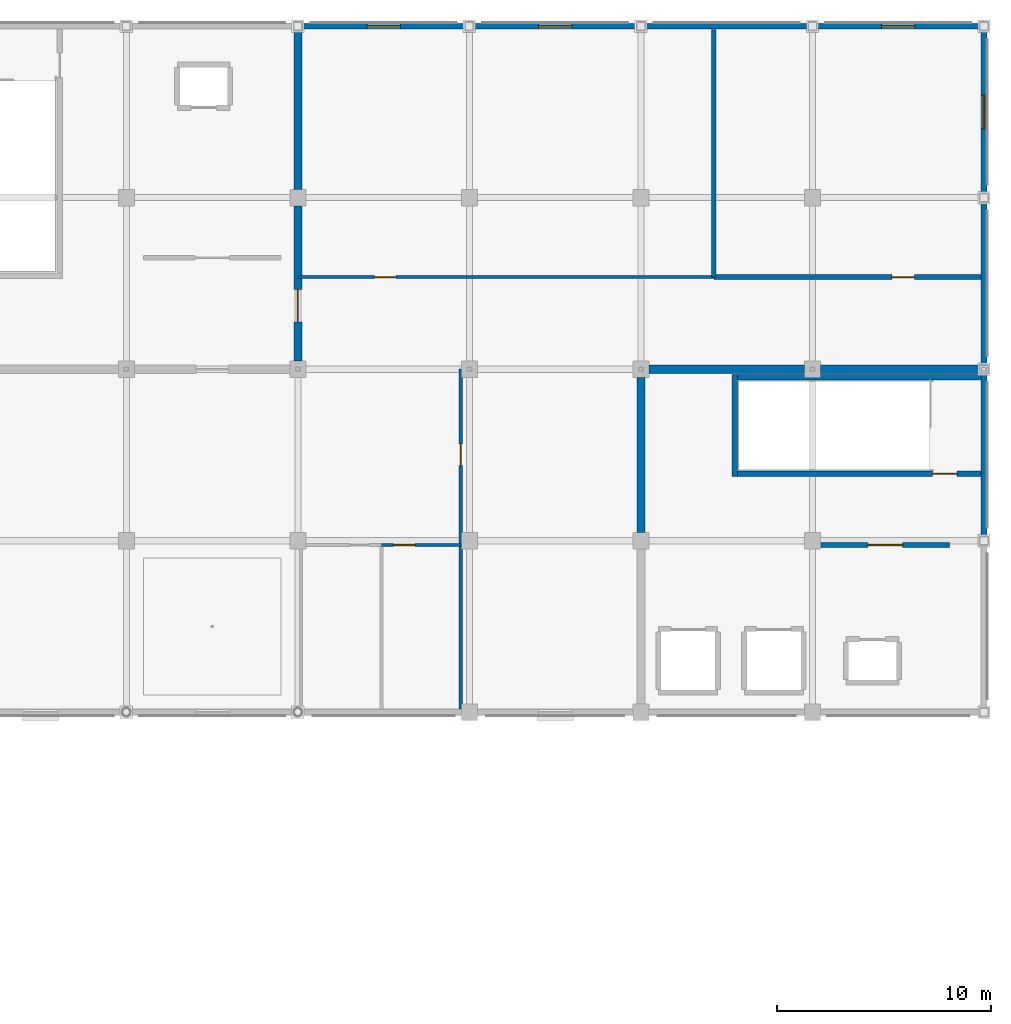
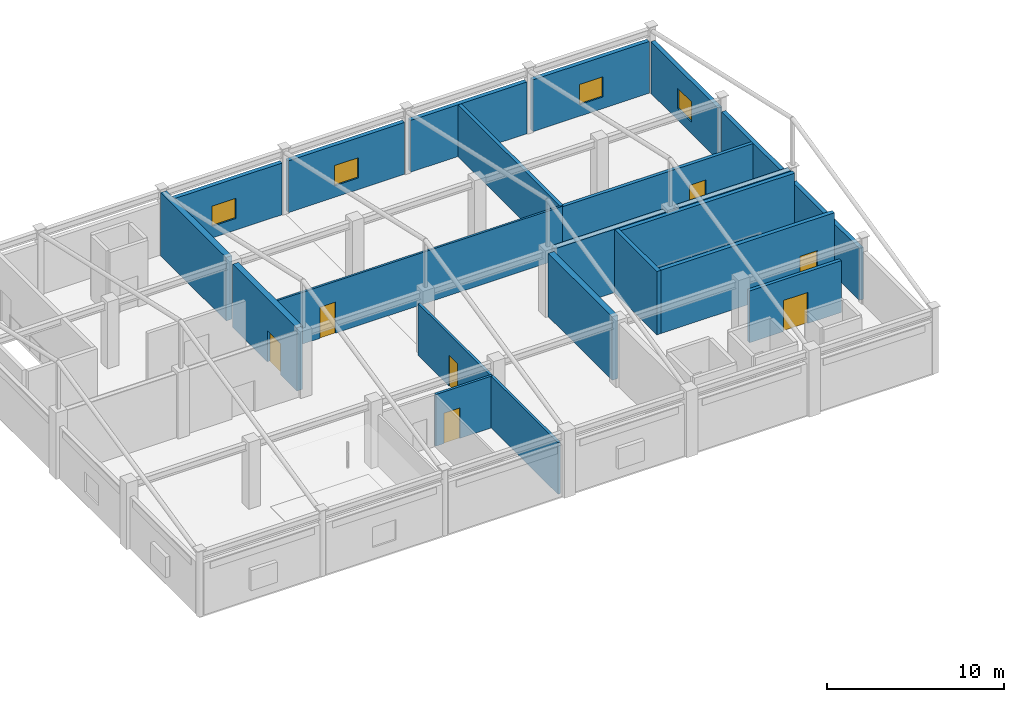
# One storey, part 13 of 16: 21 walls, 7 doors, 4 windows, 11 openings.
"""IFC4 building model written with IfcOpenShell, lengths in metres."""

from ifc_helpers import new_model, si_unit, direction, frame, frame_2d, origin, place, context, subcontext, project, spatial, rectangle, extrude, material, layer, layer_set, type_object, element, fill, save


model = new_model("IFC4")

# Units and contexts
model_context = context("Model", 3, precision=1e-05, world=origin(), true_north=direction((0.0, 1.0)))
body_context = subcontext(model_context, "Body", "Model", "MODEL_VIEW")
ifc_project = project(units=[si_unit("LENGTHUNIT", "METRE"), si_unit("AREAUNIT", "SQUARE_METRE"), si_unit("VOLUMEUNIT", "CUBIC_METRE"), si_unit("PLANEANGLEUNIT", "RADIAN"), si_unit("MASSUNIT", "GRAM", prefix="KILO")], contexts=[model_context])

# Site, building, storey
site_placement = place(None, origin())
site = spatial("IfcSite", under=ifc_project, at=site_placement, CompositionType="ELEMENT")
building_placement = place(site_placement, origin())
building = spatial("IfcBuilding", under=site, at=building_placement, Name="Solmirada Galleria", CompositionType="ELEMENT")
storey_placement = place(building_placement, frame((0.0, 0.0, 32.89990234375)))
storey = spatial("IfcBuildingStorey", under=building, at=storey_placement, Name="L07", CompositionType="ELEMENT", Elevation=32.89990234375)

# Wall, opening, door
ifc_material_1 = material(Name="Concrete C40/50", Category="concrete")
ifc_layer_1 = layer(ifc_material_1, 0.3798828125)
ifc_layer_set_1 = layer_set([ifc_layer_1], Name="Concrete C40/50")
wall_type_1 = type_object("IfcWallType", Name="WL-CORE-380", PredefinedType="SHEAR", material=ifc_layer_set_1)
wall_1_placement = place(storey_placement, frame((144.0, 104.375, 0.0), z_axis=(0.0, 0.0, 1.0), x_axis=(0.0, 1.0, 0.0)))
wall_1 = element("IfcWall", 1, at=wall_1_placement, inside=storey, type_object=wall_type_1, Name="Core C3 shear wall L07 E1", PredefinedType="SHEAR", context=body_context, shape_type="SweptSolid", body=[
    extrude(rectangle(XDim=7.25, YDim=0.3798828125, at=frame_2d((3.625, 0.0))), origin(), (0.0, 0.0, 1.0), 4.380126953125),
])
opening_1_placement = place(wall_1_placement, frame((1.837890625, 0.0, 0.0)))
opening_1 = element("IfcOpeningElement", 2, at=opening_1_placement, cuts=wall_1, Name="Opening LDY-203", PredefinedType="OPENING", context=body_context, shape_type="SweptSolid", body=[
    extrude(rectangle(XDim=1.5, YDim=2.14990234375, at=frame_2d((0.75, 1.074951171875))), frame((0.0, 0.199951171875, 0.0), z_axis=(0.0, -1.0, 0.0), x_axis=(1.0, 0.0, 0.0)), (0.0, 0.0, 1.0), 0.39990234375),
])
ifc_material_2 = material(Name="Fire-rated painted steel door assembly", Category="steel")
door_type_1 = type_object("IfcDoorType", Name="DR-LOBBY-150X215", OperationType="DOUBLE_DOOR_SINGLE_SWING", PredefinedType="DOOR", material=ifc_material_2)
door_1_placement = place(opening_1_placement, origin())
door_1 = element("IfcDoor", 3, at=door_1_placement, inside=storey, type_object=door_type_1, Name="Core C3 lobby access fire door LDY-203", OperationType="DOUBLE_DOOR_SINGLE_SWING", OverallHeight=2.14990234375, OverallWidth=1.5, PredefinedType="DOOR", context=body_context, shape_type="SweptSolid", body=[
    extrude(rectangle(XDim=1.5, YDim=2.14990234375, at=frame_2d((0.75, 1.074951171875))), frame((0.0, 0.02490234375, 0.0), z_axis=(0.0, -1.0, 0.0), x_axis=(1.0, 0.0, 0.0)), (0.0, 0.0, 1.0), 0.050048828125),
])
fill(opening_1, door_1)

# Walls
wall_2_placement = place(storey_placement, frame((144.0, 112.375, 0.0), z_axis=(0.0, 0.0, 1.0), x_axis=(0.0, 1.0, 0.0)))
element("IfcWall", 4, at=wall_2_placement, inside=storey, type_object=wall_type_1, Name="Core C3 shear wall L07 E2", PredefinedType="SHEAR", context=body_context, shape_type="SweptSolid", body=[
    extrude(rectangle(XDim=7.422119140625, YDim=0.3798828125, at=frame_2d((3.7109375, 0.0))), origin(), (0.0, 0.0, 1.0), 4.380126953125),
])
wall_3_placement = place(storey_placement, frame((160.375, 104.0, 0.0), z_axis=(0.0, 0.0, 1.0), x_axis=(1.0, 0.0, 0.0)))
element("IfcWall", 5, at=wall_3_placement, inside=storey, type_object=wall_type_1, Name="Core C4 shear wall L07 N1", PredefinedType="SHEAR", context=body_context, shape_type="SweptSolid", body=[
    extrude(rectangle(XDim=7.25, YDim=0.3798828125, at=frame_2d((3.625, 0.0))), origin(), (0.0, 0.0, 1.0), 4.380126953125),
])
wall_4_placement = place(storey_placement, frame((168.375, 104.0, 0.0), z_axis=(0.0, 0.0, 1.0), x_axis=(1.0, 0.0, 0.0)))
element("IfcWall", 6, at=wall_4_placement, inside=storey, type_object=wall_type_1, Name="Core C4 shear wall L07 N2", PredefinedType="SHEAR", context=body_context, shape_type="SweptSolid", body=[
    extrude(rectangle(XDim=7.422119140625, YDim=0.3798828125, at=frame_2d((3.7109375, 0.0))), origin(), (0.0, 0.0, 1.0), 4.380126953125),
])
wall_5_placement = place(storey_placement, frame((160.0, 96.375, 0.0), z_axis=(0.0, 0.0, 1.0), x_axis=(0.0, 1.0, 0.0)))
element("IfcWall", 7, at=wall_5_placement, inside=storey, type_object=wall_type_1, Name="Core C4 shear wall L07 W2", PredefinedType="SHEAR", context=body_context, shape_type="SweptSolid", body=[
    extrude(rectangle(XDim=7.25, YDim=0.3798828125, at=frame_2d((3.625, 0.0))), origin(), (0.0, 0.0, 1.0), 4.380126953125),
])

# Wall, opening, window
ifc_material_3 = material(Name="Precast concrete C40/50", Category="concrete")
ifc_layer_2 = layer(ifc_material_3, 0.27001953125)
ifc_layer_set_2 = layer_set([ifc_layer_2], Name="Precast concrete C40/50")
wall_type_2 = type_object("IfcWallType", Name="WL-EXT-270", PredefinedType="STANDARD", material=ifc_layer_set_2)
wall_6_placement = place(storey_placement, frame((144.202880859375, 120.0, 0.0), z_axis=(0.0, 0.0, 1.0), x_axis=(1.0, 0.0, 0.0)))
wall_6 = element("IfcWall", 8, at=wall_6_placement, inside=storey, type_object=wall_type_2, Name="Exterior wall L07 bay 007", PredefinedType="STANDARD", context=body_context, shape_type="SweptSolid", body=[
    extrude(rectangle(XDim=7.59423828125, YDim=0.27001953125, at=frame_2d((3.797119140625, 0.0))), origin(), (0.0, 0.0, 1.0), 3.580078125),
])
opening_2_placement = place(wall_6_placement, frame((3.02197265625, 0.0, 0.800048828125)))
opening_2 = element("IfcOpeningElement", 9, at=opening_2_placement, cuts=wall_6, Name="Opening WN14", PredefinedType="OPENING", context=body_context, shape_type="SweptSolid", body=[
    extrude(rectangle(XDim=1.550048828125, YDim=1.39990234375, at=frame_2d((0.77490234375, 0.699951171875))), frame((0.0, 0.14501953125, 0.0), z_axis=(0.0, -1.0, 0.0), x_axis=(1.0, 0.0, 0.0)), (0.0, 0.0, 1.0), 0.2900390625),
])
ifc_material_4 = material(Name="Impact-resistant low-E double glazing", Category="glass")
window_type = type_object("IfcWindowType", Name="WIN-OFF-155X140", PartitioningType="SINGLE_PANEL", PredefinedType="WINDOW", material=ifc_material_4)
window_1_placement = place(opening_2_placement, origin())
window_1 = element("IfcWindow", 10, at=window_1_placement, inside=storey, type_object=window_type, Name="Window L07-214", OverallHeight=1.39990234375, OverallWidth=1.550048828125, PartitioningType="SINGLE_PANEL", PredefinedType="WINDOW", context=body_context, shape_type="SweptSolid", body=[
    extrude(rectangle(XDim=1.550048828125, YDim=1.39990234375, at=frame_2d((0.77490234375, 0.699951171875))), frame((0.0, 0.030029296875, 0.0), z_axis=(0.0, -1.0, 0.0), x_axis=(1.0, 0.0, 0.0)), (0.0, 0.0, 1.0), 0.06005859375),
])
fill(opening_2, window_1)

wall_7_placement = place(storey_placement, frame((152.202880859375, 120.0, 0.0), z_axis=(0.0, 0.0, 1.0), x_axis=(1.0, 0.0, 0.0)))
wall_7 = element("IfcWall", 11, at=wall_7_placement, inside=storey, type_object=wall_type_2, Name="Exterior wall L07 bay 008", PredefinedType="STANDARD", context=body_context, shape_type="SweptSolid", body=[
    extrude(rectangle(XDim=7.59423828125, YDim=0.27001953125, at=frame_2d((3.797119140625, 0.0))), origin(), (0.0, 0.0, 1.0), 3.580078125),
])
opening_3_placement = place(wall_7_placement, frame((3.02197265625, 0.0, 0.800048828125)))
opening_3 = element("IfcOpeningElement", 12, at=opening_3_placement, cuts=wall_7, Name="Opening WN14", PredefinedType="OPENING", context=body_context, shape_type="SweptSolid", body=[
    extrude(rectangle(XDim=1.550048828125, YDim=1.39990234375, at=frame_2d((0.77490234375, 0.699951171875))), frame((0.0, 0.14501953125, 0.0), z_axis=(0.0, -1.0, 0.0), x_axis=(1.0, 0.0, 0.0)), (0.0, 0.0, 1.0), 0.2900390625),
])
window_2_placement = place(opening_3_placement, origin())
window_2 = element("IfcWindow", 13, at=window_2_placement, inside=storey, type_object=window_type, Name="Window L07-215", OverallHeight=1.39990234375, OverallWidth=1.550048828125, PartitioningType="SINGLE_PANEL", PredefinedType="WINDOW", context=body_context, shape_type="SweptSolid", body=[
    extrude(rectangle(XDim=1.550048828125, YDim=1.39990234375, at=frame_2d((0.77490234375, 0.699951171875))), frame((0.0, 0.030029296875, 0.0), z_axis=(0.0, -1.0, 0.0), x_axis=(1.0, 0.0, 0.0)), (0.0, 0.0, 1.0), 0.06005859375),
])
fill(opening_3, window_2)

# Wall
wall_8_placement = place(storey_placement, frame((160.202880859375, 120.0, 0.0), z_axis=(0.0, 0.0, 1.0), x_axis=(1.0, 0.0, 0.0)))
element("IfcWall", 14, at=wall_8_placement, inside=storey, type_object=wall_type_2, Name="Exterior wall L07 bay 009", PredefinedType="STANDARD", context=body_context, shape_type="SweptSolid", body=[
    extrude(rectangle(XDim=7.59423828125, YDim=0.27001953125, at=frame_2d((3.797119140625, 0.0))), origin(), (0.0, 0.0, 1.0), 3.580078125),
])

# Wall, opening, window
wall_9_placement = place(storey_placement, frame((168.202880859375, 120.0, 0.0), z_axis=(0.0, 0.0, 1.0), x_axis=(1.0, 0.0, 0.0)))
wall_9 = element("IfcWall", 15, at=wall_9_placement, inside=storey, type_object=wall_type_2, Name="Exterior wall L07 bay 010", PredefinedType="STANDARD", context=body_context, shape_type="SweptSolid", body=[
    extrude(rectangle(XDim=7.59423828125, YDim=0.27001953125, at=frame_2d((3.797119140625, 0.0))), origin(), (0.0, 0.0, 1.0), 3.580078125),
])
opening_4_placement = place(wall_9_placement, frame((3.02197265625, 0.0, 0.800048828125)))
opening_4 = element("IfcOpeningElement", 16, at=opening_4_placement, cuts=wall_9, Name="Opening WN14", PredefinedType="OPENING", context=body_context, shape_type="SweptSolid", body=[
    extrude(rectangle(XDim=1.550048828125, YDim=1.39990234375, at=frame_2d((0.77490234375, 0.699951171875))), frame((0.0, 0.14501953125, 0.0), z_axis=(0.0, -1.0, 0.0), x_axis=(1.0, 0.0, 0.0)), (0.0, 0.0, 1.0), 0.2900390625),
])
window_3_placement = place(opening_4_placement, origin())
window_3 = element("IfcWindow", 17, at=window_3_placement, inside=storey, type_object=window_type, Name="Window L07-216", OverallHeight=1.39990234375, OverallWidth=1.550048828125, PartitioningType="SINGLE_PANEL", PredefinedType="WINDOW", context=body_context, shape_type="SweptSolid", body=[
    extrude(rectangle(XDim=1.550048828125, YDim=1.39990234375, at=frame_2d((0.77490234375, 0.699951171875))), frame((0.0, 0.030029296875, 0.0), z_axis=(0.0, -1.0, 0.0), x_axis=(1.0, 0.0, 0.0)), (0.0, 0.0, 1.0), 0.06005859375),
])
fill(opening_4, window_3)

wall_10_placement = place(storey_placement, frame((176.0, 119.797119140625, 0.0), z_axis=(0.0, 0.0, 1.0), x_axis=(0.0, -1.0, 0.0)))
wall_10 = element("IfcWall", 18, at=wall_10_placement, inside=storey, type_object=wall_type_2, Name="Exterior wall L07 bay 011", PredefinedType="STANDARD", context=body_context, shape_type="SweptSolid", body=[
    extrude(rectangle(XDim=7.59423828125, YDim=0.27001953125, at=frame_2d((3.797119140625, 0.0))), origin(), (0.0, 0.0, 1.0), 3.580078125),
])
opening_5_placement = place(wall_10_placement, frame((3.02197265625, 0.0, 0.800048828125)))
opening_5 = element("IfcOpeningElement", 19, at=opening_5_placement, cuts=wall_10, Name="Opening WN14", PredefinedType="OPENING", context=body_context, shape_type="SweptSolid", body=[
    extrude(rectangle(XDim=1.550048828125, YDim=1.39990234375, at=frame_2d((0.77490234375, 0.699951171875))), frame((0.0, 0.14501953125, 0.0), z_axis=(0.0, -1.0, 0.0), x_axis=(1.0, 0.0, 0.0)), (0.0, 0.0, 1.0), 0.2900390625),
])
window_4_placement = place(opening_5_placement, origin())
window_4 = element("IfcWindow", 20, at=window_4_placement, inside=storey, type_object=window_type, Name="Window L07-217", OverallHeight=1.39990234375, OverallWidth=1.550048828125, PartitioningType="SINGLE_PANEL", PredefinedType="WINDOW", context=body_context, shape_type="SweptSolid", body=[
    extrude(rectangle(XDim=1.550048828125, YDim=1.39990234375, at=frame_2d((0.77490234375, 0.699951171875))), frame((0.0, 0.030029296875, 0.0), z_axis=(0.0, -1.0, 0.0), x_axis=(1.0, 0.0, 0.0)), (0.0, 0.0, 1.0), 0.06005859375),
])
fill(opening_5, window_4)

# Walls
for number, where, z_axis, x_axis, name in (
    (21, (176.0, 111.797119140625, 0.0), (0.0, 0.0, 1.0), (0.0, -1.0, 0.0), "Exterior wall L07 bay 012"),
    (22, (176.0, 103.797119140625, 0.0), (0.0, 0.0, 1.0), (0.0, -1.0, 0.0), "Exterior wall L07 bay 013"),
):
    element("IfcWall", number, at=place(storey_placement, frame(where, z_axis=z_axis, x_axis=x_axis)), inside=storey, type_object=wall_type_2, Name=name, PredefinedType="STANDARD", context=body_context, shape_type="SweptSolid", body=[
        extrude(rectangle(XDim=7.59423828125, YDim=0.27001953125, at=frame_2d((3.797119140625, 0.0))), origin(), (0.0, 0.0, 1.0), 3.580078125),
    ])

# Wall, opening, door
ifc_material_5 = material(Name="Acoustic gypsum board partition")
ifc_layer_3 = layer(ifc_material_5, 0.135009765625)
ifc_layer_set_3 = layer_set([ifc_layer_3], Name="Acoustic gypsum board partition")
wall_type_3 = type_object("IfcWallType", Name="WL-PART-135", PredefinedType="PARTITIONING", material=ifc_layer_set_3)
wall_11_placement = place(storey_placement, frame((144.0, 108.300048828125, 0.0), z_axis=(0.0, 0.0, 1.0), x_axis=(1.0, 0.0, 0.0)))
wall_11 = element("IfcWall", 23, at=wall_11_placement, inside=storey, type_object=wall_type_3, Name="Partition L07-178 (Senior Office/Studio L07)", PredefinedType="PARTITIONING", context=body_context, shape_type="SweptSolid", body=[
    extrude(rectangle(XDim=19.39990234375, YDim=0.135009765625, at=frame_2d((9.699951171875, 0.0))), origin(), (0.0, 0.0, 1.0), 3.580078125),
])
opening_6_placement = place(wall_11_placement, frame((3.568115234375, 0.0, 0.0)))
opening_6 = element("IfcOpeningElement", 24, at=opening_6_placement, cuts=wall_11, Name="Opening ID-383", PredefinedType="OPENING", context=body_context, shape_type="SweptSolid", body=[
    extrude(rectangle(XDim=1.0, YDim=2.14990234375, at=frame_2d((0.5, 1.074951171875))), frame((0.0, 0.077392578125, 0.0), z_axis=(0.0, -1.0, 0.0), x_axis=(1.0, 0.0, 0.0)), (0.0, 0.0, 1.0), 0.155029296875),
])
ifc_material_6 = material(Name="Architectural hardwood veneer door", Category="wood")
door_type_2 = type_object("IfcDoorType", Name="DR-ROOM-100X215", OperationType="NOTDEFINED", PredefinedType="DOOR", material=ifc_material_6)
door_2_placement = place(opening_6_placement, origin())
door_2 = element("IfcDoor", 25, at=door_2_placement, inside=storey, type_object=door_type_2, Name="Senior Office/Studio L07 door ID-383", OperationType="SINGLE_SWING_RIGHT", OverallHeight=2.14990234375, OverallWidth=1.0, PredefinedType="DOOR", context=body_context, shape_type="SweptSolid", body=[
    extrude(rectangle(XDim=1.0, YDim=2.14990234375, at=frame_2d((0.5, 1.074951171875))), frame((0.0, 0.02490234375, 0.0), z_axis=(0.0, -1.0, 0.0), x_axis=(1.0, 0.0, 0.0)), (0.0, 0.0, 1.0), 0.050048828125),
])
fill(opening_6, door_2)

ifc_layer_4 = layer(ifc_material_5, 0.159912109375)
ifc_layer_set_4 = layer_set([ifc_layer_4], Name="Acoustic gypsum board partition")
wall_type_4 = type_object("IfcWallType", Name="WL-PART-160", PredefinedType="PARTITIONING", material=ifc_layer_set_4)
wall_12_placement = place(storey_placement, frame((147.89990234375, 95.800048828125, 0.0), z_axis=(0.0, 0.0, 1.0), x_axis=(1.0, 0.0, 0.0)))
wall_12 = element("IfcWall", 26, at=wall_12_placement, inside=storey, type_object=wall_type_4, Name="Partition L07-174 (Accessible WC L07)", PredefinedType="PARTITIONING", context=body_context, shape_type="SweptSolid", body=[
    extrude(rectangle(XDim=3.7001953125, YDim=0.159912109375, at=frame_2d((1.85009765625, 0.0))), origin(), (0.0, 0.0, 1.0), 3.580078125),
])
opening_7_placement = place(wall_12_placement, frame((0.548095703125, 0.0, 0.0)))
opening_7 = element("IfcOpeningElement", 27, at=opening_7_placement, cuts=wall_12, Name="Opening ID-381", PredefinedType="OPENING", context=body_context, shape_type="SweptSolid", body=[
    extrude(rectangle(XDim=1.02001953125, YDim=2.10009765625, at=frame_2d((0.510009765625, 1.050048828125))), frame((0.0, 0.08984375, 0.0), z_axis=(0.0, -1.0, 0.0), x_axis=(1.0, 0.0, 0.0)), (0.0, 0.0, 1.0), 0.179931640625),
])
door_type_3 = type_object("IfcDoorType", Name="DR-AWC-102X210", OperationType="NOTDEFINED", PredefinedType="DOOR", material=ifc_material_6)
door_3_placement = place(opening_7_placement, origin())
door_3 = element("IfcDoor", 28, at=door_3_placement, inside=storey, type_object=door_type_3, Name="Accessible WC L07 door ID-381", OperationType="SINGLE_SWING_RIGHT", OverallHeight=2.10009765625, OverallWidth=1.02001953125, PredefinedType="DOOR", context=body_context, shape_type="SweptSolid", body=[
    extrude(rectangle(XDim=1.02001953125, YDim=2.10009765625, at=frame_2d((0.510009765625, 1.050048828125))), frame((0.0, 0.02490234375, 0.0), z_axis=(0.0, -1.0, 0.0), x_axis=(1.0, 0.0, 0.0)), (0.0, 0.0, 1.0), 0.050048828125),
])
fill(opening_7, door_3)

wall_13_placement = place(storey_placement, frame((151.60009765625, 88.14990234375, 0.0), z_axis=(0.0, 0.0, 1.0), x_axis=(0.0, 1.0, 0.0)))
wall_13 = element("IfcWall", 29, at=wall_13_placement, inside=storey, type_object=wall_type_4, Name="Partition L07-177 (Archive/Lab L07)", PredefinedType="PARTITIONING", context=body_context, shape_type="SweptSolid", body=[
    extrude(rectangle(XDim=15.85009765625, YDim=0.159912109375, at=frame_2d((7.925048828125, 0.0))), origin(), (0.0, 0.0, 1.0), 3.580078125),
])
opening_8_placement = place(wall_13_placement, frame((11.35595703125, 0.0, 0.0)))
opening_8 = element("IfcOpeningElement", 30, at=opening_8_placement, cuts=wall_13, Name="Opening ID-382", PredefinedType="OPENING", context=body_context, shape_type="SweptSolid", body=[
    extrude(rectangle(XDim=1.0, YDim=2.14990234375, at=frame_2d((0.5, 1.074951171875))), frame((0.0, 0.08984375, 0.0), z_axis=(0.0, -1.0, 0.0), x_axis=(1.0, 0.0, 0.0)), (0.0, 0.0, 1.0), 0.179931640625),
])
door_4_placement = place(opening_8_placement, origin())
door_4 = element("IfcDoor", 31, at=door_4_placement, inside=storey, type_object=door_type_2, Name="Archive/Lab L07 door ID-382", OperationType="SINGLE_SWING_LEFT", OverallHeight=2.14990234375, OverallWidth=1.0, PredefinedType="DOOR", context=body_context, shape_type="SweptSolid", body=[
    extrude(rectangle(XDim=1.0, YDim=2.14990234375, at=frame_2d((0.5, 1.074951171875))), frame((0.0, 0.02490234375, 0.0), z_axis=(0.0, -1.0, 0.0), x_axis=(1.0, 0.0, 0.0)), (0.0, 0.0, 1.0), 0.050048828125),
])
fill(opening_8, door_4)

ifc_material_7 = material(Name="Fire-rated gypsum and steel-stud partition", Category="steel")
ifc_layer_5 = layer(ifc_material_7, 0.219970703125)
ifc_layer_set_5 = layer_set([ifc_layer_5], Name="Fire-rated gypsum and steel-stud partition")
wall_type_5 = type_object("IfcWallType", Name="WL-PART-220", PredefinedType="PARTITIONING", material=ifc_layer_set_5)
wall_14_placement = place(storey_placement, frame((168.39990234375, 95.800048828125, 0.0), z_axis=(0.0, 0.0, 1.0), x_axis=(1.0, 0.0, 0.0)))
wall_14 = element("IfcWall", 32, at=wall_14_placement, inside=storey, type_object=wall_type_5, Name="Firefighting lift lobby C4 smoke barrier L07", PredefinedType="PARTITIONING", context=body_context, shape_type="SweptSolid", body=[
    extrude(rectangle(XDim=6.0, YDim=0.219970703125, at=frame_2d((3.0, 0.0))), origin(), (0.0, 0.0, 1.0), 3.580078125),
])
opening_9_placement = place(wall_14_placement, frame((2.199951171875, 0.0, 0.0)))
opening_9 = element("IfcOpeningElement", 33, at=opening_9_placement, cuts=wall_14, Name="Opening FD-222", PredefinedType="OPENING", context=body_context, shape_type="SweptSolid", body=[
    extrude(rectangle(XDim=1.60009765625, YDim=2.14990234375, at=frame_2d((0.800048828125, 1.074951171875))), frame((0.0, 0.119873046875, 0.0), z_axis=(0.0, -1.0, 0.0), x_axis=(1.0, 0.0, 0.0)), (0.0, 0.0, 1.0), 0.239990234375),
])
door_type_4 = type_object("IfcDoorType", Name="DR-FFLOB-160X215", OperationType="DOUBLE_DOOR_SINGLE_SWING", PredefinedType="DOOR", material=ifc_material_2)
door_5_placement = place(opening_9_placement, origin())
door_5 = element("IfcDoor", 34, at=door_5_placement, inside=storey, type_object=door_type_4, Name="Firefighting lift lobby internal door FD-222", OperationType="DOUBLE_DOOR_SINGLE_SWING", OverallHeight=2.14990234375, OverallWidth=1.60009765625, PredefinedType="DOOR", context=body_context, shape_type="SweptSolid", body=[
    extrude(rectangle(XDim=1.60009765625, YDim=2.14990234375, at=frame_2d((0.800048828125, 1.074951171875))), frame((0.0, 0.02490234375, 0.0), z_axis=(0.0, -1.0, 0.0), x_axis=(1.0, 0.0, 0.0)), (0.0, 0.0, 1.0), 0.050048828125),
])
fill(opening_9, door_5)

wall_15_placement = place(storey_placement, frame((163.39990234375, 108.300048828125, 0.0), z_axis=(0.0, 0.0, 1.0), x_axis=(1.0, 0.0, 0.0)))
wall_15 = element("IfcWall", 35, at=wall_15_placement, inside=storey, type_object=wall_type_5, Name="Partition L07-179 (Kitchen/Plant L07)", PredefinedType="PARTITIONING", context=body_context, shape_type="SweptSolid", body=[
    extrude(rectangle(XDim=12.4501953125, YDim=0.219970703125, at=frame_2d((6.22509765625, 0.0))), origin(), (0.0, 0.0, 1.0), 3.580078125),
])
opening_10_placement = place(wall_15_placement, frame((8.299072265625, 0.0, 0.0)))
opening_10 = element("IfcOpeningElement", 36, at=opening_10_placement, cuts=wall_15, Name="Opening ID-384", PredefinedType="OPENING", context=body_context, shape_type="SweptSolid", body=[
    extrude(rectangle(XDim=1.050048828125, YDim=2.14990234375, at=frame_2d((0.52490234375, 1.074951171875))), frame((0.0, 0.119873046875, 0.0), z_axis=(0.0, -1.0, 0.0), x_axis=(1.0, 0.0, 0.0)), (0.0, 0.0, 1.0), 0.239990234375),
])
door_type_5 = type_object("IfcDoorType", Name="DR-FIRE-105X215", OperationType="NOTDEFINED", PredefinedType="DOOR", material=ifc_material_2)
door_6_placement = place(opening_10_placement, origin())
door_6 = element("IfcDoor", 37, at=door_6_placement, inside=storey, type_object=door_type_5, Name="Kitchen/Plant L07 door ID-384", OperationType="SINGLE_SWING_LEFT", OverallHeight=2.14990234375, OverallWidth=1.050048828125, PredefinedType="DOOR", context=body_context, shape_type="SweptSolid", body=[
    extrude(rectangle(XDim=1.050048828125, YDim=2.14990234375, at=frame_2d((0.52490234375, 1.074951171875))), frame((0.0, 0.02490234375, 0.0), z_axis=(0.0, -1.0, 0.0), x_axis=(1.0, 0.0, 0.0)), (0.0, 0.0, 1.0), 0.050048828125),
])
fill(opening_10, door_6)

# Walls
wall_16_placement = place(storey_placement, frame((163.39990234375, 108.300048828125, 0.0), z_axis=(0.0, 0.0, 1.0), x_axis=(0.0, 1.0, 0.0)))
element("IfcWall", 38, at=wall_16_placement, inside=storey, type_object=wall_type_5, Name="Partition L07-180 (Plant Divider L07)", PredefinedType="PARTITIONING", context=body_context, shape_type="SweptSolid", body=[
    extrude(rectangle(XDim=11.550048828125, YDim=0.219970703125, at=frame_2d((5.77490234375, 0.0))), origin(), (0.0, 0.0, 1.0), 3.580078125),
])
ifc_layer_6 = layer(ifc_material_1, 0.260009765625)
ifc_layer_set_6 = layer_set([ifc_layer_6], Name="Concrete C40/50")
wall_type_6 = type_object("IfcWallType", Name="WL-SHAFT-260", PredefinedType="SHEAR", material=ifc_layer_set_6)
wall_17_placement = place(storey_placement, frame((164.3701171875, 98.989990234375, 0.0), z_axis=(0.0, 0.0, 1.0), x_axis=(0.0, 1.0, 0.0)))
element("IfcWall", 39, at=wall_17_placement, inside=storey, type_object=wall_type_6, Name="Stair ST4 enclosure wall L07 W", PredefinedType="SHEAR", context=body_context, shape_type="SweptSolid", body=[
    extrude(rectangle(XDim=4.77001953125, YDim=0.260009765625, at=frame_2d((2.385009765625, 0.0))), origin(), (0.0, 0.0, 1.0), 4.380126953125),
])

# Wall, opening, door
wall_18_placement = place(storey_placement, frame((164.5, 99.1201171875, 0.0), z_axis=(0.0, 0.0, 1.0), x_axis=(1.0, 0.0, 0.0)))
wall_18 = element("IfcWall", 40, at=wall_18_placement, inside=storey, type_object=wall_type_6, Name="Stair ST4 enclosure wall L07 S", PredefinedType="SHEAR", context=body_context, shape_type="SweptSolid", body=[
    extrude(rectangle(XDim=11.35498046875, YDim=0.260009765625, at=frame_2d((5.677490234375, 0.0))), origin(), (0.0, 0.0, 1.0), 4.380126953125),
])
opening_11_placement = place(wall_18_placement, frame((9.10009765625, 0.0, 0.0)))
opening_11 = element("IfcOpeningElement", 41, at=opening_11_placement, cuts=wall_18, Name="Opening SD-221", PredefinedType="OPENING", context=body_context, shape_type="SweptSolid", body=[
    extrude(rectangle(XDim=1.14990234375, YDim=2.14990234375, at=frame_2d((0.574951171875, 1.074951171875))), frame((0.0, 0.139892578125, 0.0), z_axis=(0.0, -1.0, 0.0), x_axis=(1.0, 0.0, 0.0)), (0.0, 0.0, 1.0), 0.280029296875),
])
door_type_6 = type_object("IfcDoorType", Name="DR-STAIR-115X215", OperationType="NOTDEFINED", PredefinedType="DOOR", material=ifc_material_2)
door_7_placement = place(opening_11_placement, origin())
door_7 = element("IfcDoor", 42, at=door_7_placement, inside=storey, type_object=door_type_6, Name="Exit stair ST4 enclosure fire door SD-221", OperationType="SINGLE_SWING_RIGHT", OverallHeight=2.14990234375, OverallWidth=1.14990234375, PredefinedType="DOOR", context=body_context, shape_type="SweptSolid", body=[
    extrude(rectangle(XDim=1.14990234375, YDim=2.14990234375, at=frame_2d((0.574951171875, 1.074951171875))), frame((0.0, 0.02490234375, 0.0), z_axis=(0.0, -1.0, 0.0), x_axis=(1.0, 0.0, 0.0)), (0.0, 0.0, 1.0), 0.050048828125),
])
fill(opening_11, door_7)

# Wall
wall_19_placement = place(storey_placement, frame((164.5, 103.6298828125, 0.0), z_axis=(0.0, 0.0, 1.0), x_axis=(1.0, 0.0, 0.0)))
element("IfcWall", 43, at=wall_19_placement, inside=storey, type_object=wall_type_6, Name="Stair ST4 enclosure wall L07 N", PredefinedType="SHEAR", context=body_context, shape_type="SweptSolid", body=[
    extrude(rectangle(XDim=11.35498046875, YDim=0.260009765625, at=frame_2d((5.677490234375, 0.0))), origin(), (0.0, 0.0, 1.0), 4.380126953125),
])

save(model, "model.ifc")
